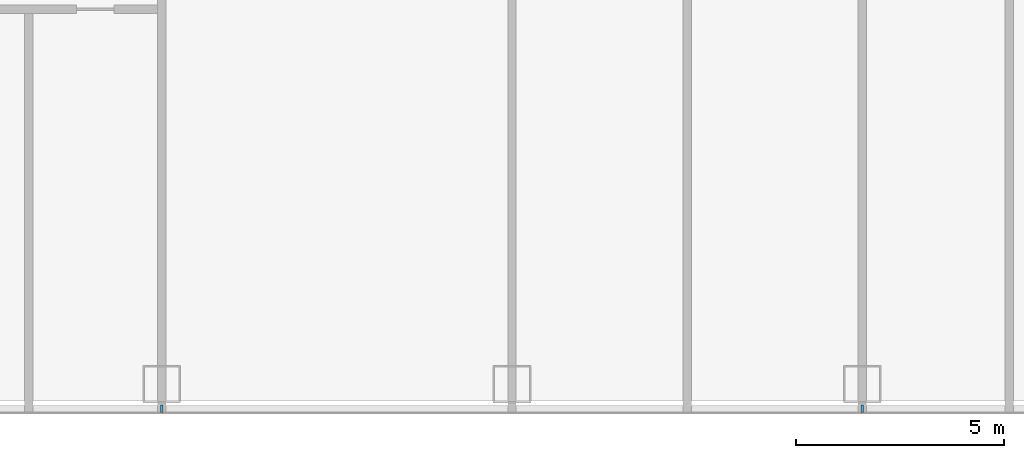
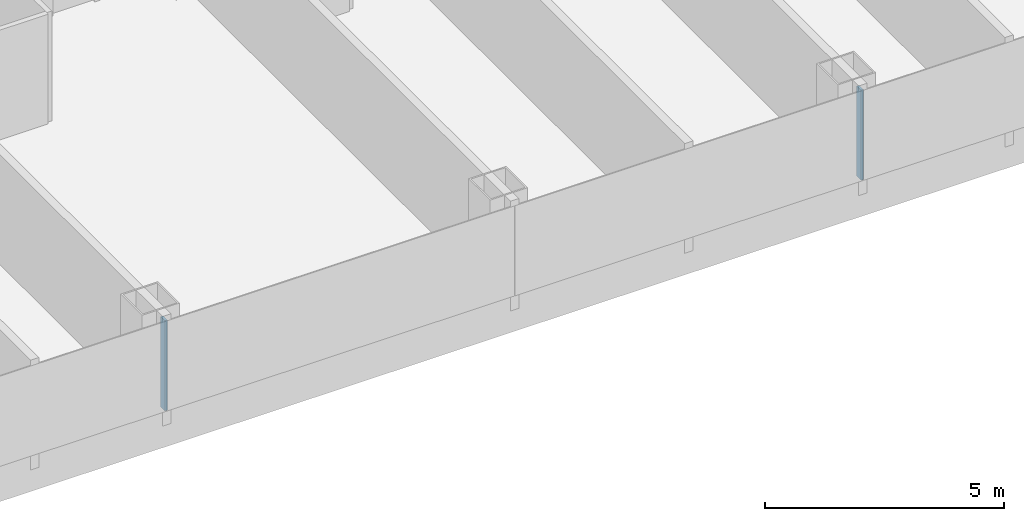
# One storey, part 4 of 28: 2 members, 1 element without a shape of its own.
"""IFC4 building model written with IfcOpenShell, lengths in metres."""

from ifc_helpers import new_model, si_unit, direction, frame, origin, origin_2d, place, context, subcontext, project, spatial, rectangle, extrude, material, layer, layer_set, material_profile, profile_set, type_object, element, aggregate, save


model = new_model("IFC4")

# Units and contexts
model_context = context("Model", 3, precision=1e-05, world=origin(), true_north=direction((0.0, 1.0)))
body_context = subcontext(model_context, "Body", "Model", "MODEL_VIEW")
ifc_project = project(units=[si_unit("LENGTHUNIT", "METRE"), si_unit("AREAUNIT", "SQUARE_METRE"), si_unit("VOLUMEUNIT", "CUBIC_METRE"), si_unit("PLANEANGLEUNIT", "RADIAN"), si_unit("MASSUNIT", "GRAM", prefix="KILO")], contexts=[model_context])

# Site, building, storey
site_placement = place(None, origin())
site = spatial("IfcSite", under=ifc_project, at=site_placement, CompositionType="ELEMENT")
building_placement = place(site_placement, origin())
building = spatial("IfcBuilding", under=site, at=building_placement, Name="Hakoniwa Tower and Hamabe Station Hall", CompositionType="ELEMENT")
storey_placement = place(building_placement, frame((0.0, 0.0, 42.199951171875)))
storey = spatial("IfcBuildingStorey", under=building, at=storey_placement, Name="L11", CompositionType="ELEMENT", Elevation=42.199951171875)

# Curtain wall, members
ifc_material_1 = material(Name="Dark low-e laminated glass", Category="glass")
ifc_layer = layer(ifc_material_1, 0.199951171875)
ifc_layer_set = layer_set([ifc_layer], Name="CW-1 UNITISED GUEST")
curtain_wall_type = type_object("IfcCurtainWallType", Name="CW-1 UNITISED GUEST", PredefinedType="NOTDEFINED", material=ifc_layer_set)
curtain_wall_placement = place(storey_placement, origin())
curtain_wall = element("IfcCurtainWall", 1, at=curtain_wall_placement, inside=storey, type_object=curtain_wall_type, Name="CW-1 curtain wall", PredefinedType="NOTDEFINED")
ifc_material_2 = material(Name="Aluminium 6063-T5 black anodised", Category="aluminium")
ifc_material_profile = material_profile(ifc_material_2, rectangle(XDim=0.06005859375, YDim=0.179931640625, at=origin_2d()), Name="CW-1 MULLION 60X180")
ifc_profile_set = profile_set([ifc_material_profile], Name="Aluminium 6063-T5 black anodised")
member_type = type_object("IfcMemberType", Name="CW-1 MULLION 60X180", PredefinedType="MULLION", material=ifc_profile_set)
member_1_placement = place(storey_placement, frame((-16.800048828125, -20.181884765625, 0.35009765625), z_axis=(0.0, 0.0, 1.0), x_axis=(1.0, 0.0, 0.0)))
member_1 = element("IfcMember", 2, at=member_1_placement, type_object=member_type, Name="CW-1 mullion", PredefinedType="MULLION", context=body_context, shape_type="SweptSolid", body=[
    extrude(rectangle(XDim=0.06005859375, YDim=0.179931640625, at=origin_2d()), origin(), (0.0, 0.0, 1.0), 2.300048828125),
])
member_2_placement = place(storey_placement, frame((0.0, -20.181884765625, 0.35009765625), z_axis=(0.0, 0.0, 1.0), x_axis=(1.0, 0.0, 0.0)))
member_2 = element("IfcMember", 3, at=member_2_placement, type_object=member_type, Name="CW-1 mullion", PredefinedType="MULLION", context=body_context, shape_type="SweptSolid", body=[
    extrude(rectangle(XDim=0.06005859375, YDim=0.179931640625, at=origin_2d()), origin(), (0.0, 0.0, 1.0), 2.300048828125),
])
aggregate(curtain_wall, [member_1, member_2])

save(model, "model.ifc")
